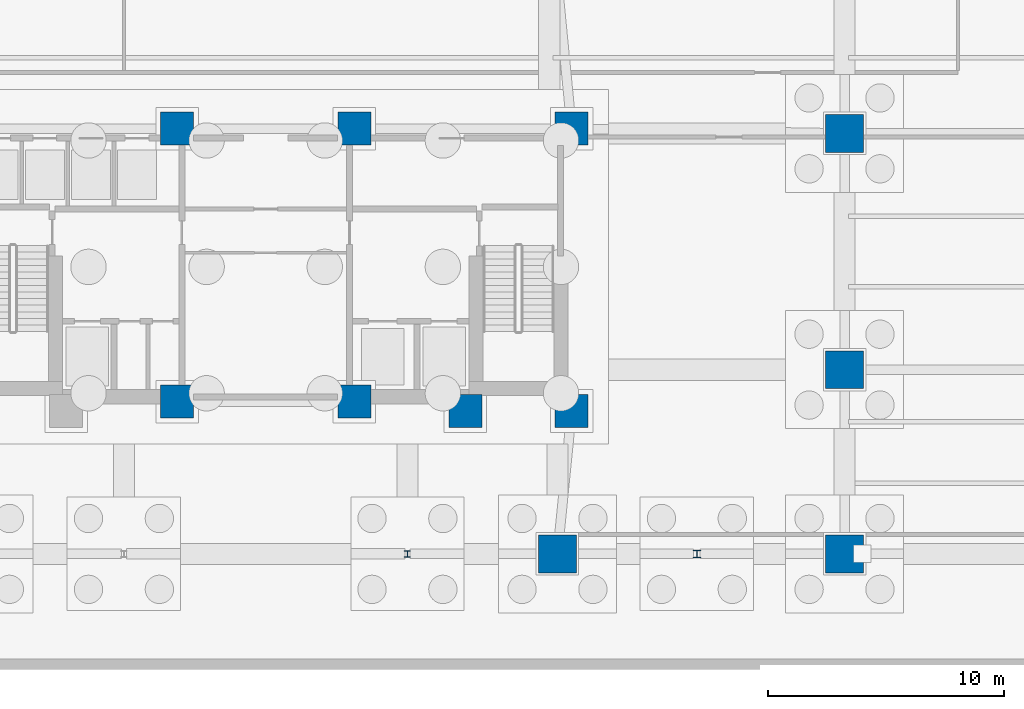
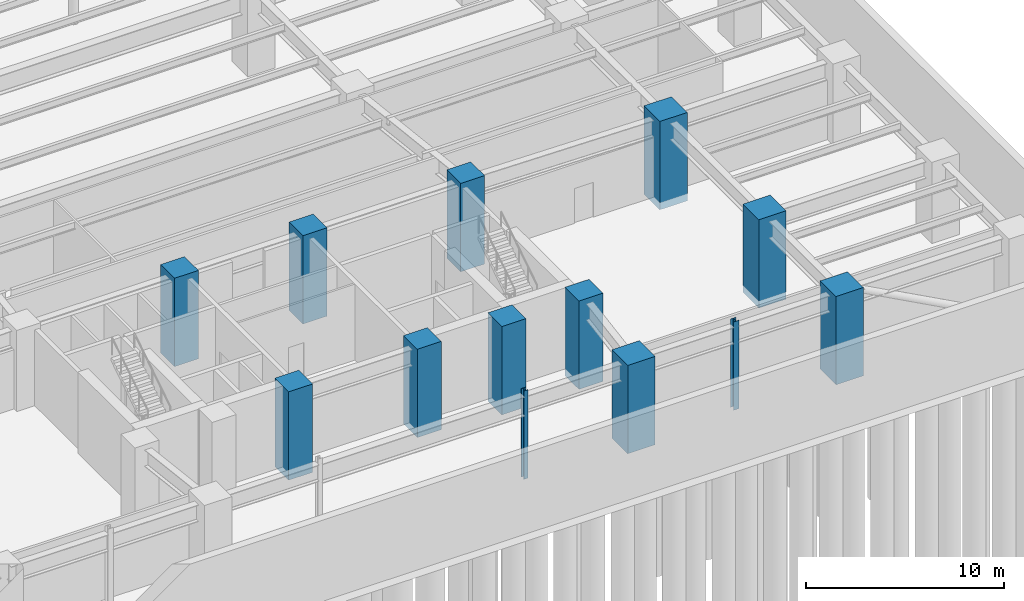
# One storey, part 4 of 15: 13 columns.
"""IFC4 building model written with IfcOpenShell, lengths in metres."""

from ifc_helpers import new_model, si_unit, direction, frame, origin, origin_2d, place, context, subcontext, project, spatial, rectangle, i_section, extrude, material, material_profile, profile_set, type_object, element, save


model = new_model("IFC4")

# Units and contexts
model_context = context("Model", 3, precision=1e-05, world=origin(), true_north=direction((0.0, 1.0)))
body_context = subcontext(model_context, "Body", "Model", "MODEL_VIEW")
ifc_project = project(units=[si_unit("LENGTHUNIT", "METRE"), si_unit("AREAUNIT", "SQUARE_METRE"), si_unit("VOLUMEUNIT", "CUBIC_METRE"), si_unit("PLANEANGLEUNIT", "RADIAN"), si_unit("MASSUNIT", "GRAM", prefix="KILO")], contexts=[model_context])

# Site, building, storey
site_placement = place(None, origin())
site = spatial("IfcSite", under=ifc_project, at=site_placement, CompositionType="ELEMENT")
building_placement = place(site_placement, origin())
building = spatial("IfcBuilding", under=site, at=building_placement, Name="Quenlor Broadcast Tower", CompositionType="ELEMENT")
storey_placement = place(building_placement, frame((0.0, 0.0, -10.0)))
storey = spatial("IfcBuildingStorey", under=building, at=storey_placement, Name="B02", CompositionType="ELEMENT", Elevation=-10.0)

# Columns
ifc_material_1 = material(Name="Concrete C65/80", Category="concrete")
ifc_material_profile_1 = material_profile(ifc_material_1, rectangle(XDim=1.39990234375, YDim=1.39990234375, at=origin_2d()))
ifc_profile_set_1 = profile_set([ifc_material_profile_1], Name="Concrete C65/80 RC1400x1400")
column_type_1 = type_object("IfcColumnType", Name="Core Corner Column Lower Concrete C65/80 1400", PredefinedType="COLUMN", material=ifc_profile_set_1)
for number, where, z_axis, x_axis, name in (
    (1, (-3.75, -16.35009765625, -0.449951171875), (0.0, 0.0, 1.0), (1.0, 0.0, 0.0), "B02 Core Column CC3"),
    (2, (3.75, -16.35009765625, -0.449951171875), (0.0, 0.0, 1.0), (1.0, 0.0, 0.0), "B02 Core Column CC4"),
    (3, (8.449951171875, -16.75, -0.449951171875), (0.0, 0.0, 1.0), (1.0, 0.0, 0.0), "B02 Core Column CC5"),
    (4, (12.949951171875, -16.75, -0.449951171875), (0.0, 0.0, 1.0), (1.0, 0.0, 0.0), "B02 Core Column CC6"),
    (5, (-3.75, -4.800048828125, -0.449951171875), (0.0, 0.0, 1.0), (1.0, 0.0, 0.0), "B02 Core Column CC8"),
    (6, (3.75, -4.800048828125, -0.449951171875), (0.0, 0.0, 1.0), (1.0, 0.0, 0.0), "B02 Core Column CC9"),
    (7, (12.949951171875, -4.800048828125, -0.449951171875), (0.0, 0.0, 1.0), (1.0, 0.0, 0.0), "B02 Core Column CC10"),
):
    element("IfcColumn", number, at=place(storey_placement, frame(where, z_axis=z_axis, x_axis=x_axis)), inside=storey, type_object=column_type_1, Name=name, PredefinedType="COLUMN", context=body_context, shape_type="SweptSolid", body=[
        extrude(rectangle(XDim=1.39990234375, YDim=1.39990234375, at=origin_2d()), origin(), (0.0, 0.0, 1.0), 5.449951171875),
    ])
ifc_material_2 = material(Name="Steel S355", Category="steel")
ifc_material_profile_2 = material_profile(ifc_material_2, i_section(OverallWidth=0.30908203125, OverallDepth=0.320556640625, WebThickness=0.013916015625, FlangeThickness=0.021728515625, FilletRadius=0.0166015625, at=origin_2d()))
ifc_profile_set_2 = profile_set([ifc_material_profile_2], Name="Steel S355 310UC137")
column_type_2 = type_object("IfcColumnType", Name="Podium Canopy Post Steel S355 310UC137", PredefinedType="COLUMN", material=ifc_profile_set_2)
column_1_placement = place(storey_placement, frame((18.25, -22.800048828125, -0.449951171875), z_axis=(0.0, 0.0, 1.0), x_axis=(1.0, 0.0, 0.0)))
element("IfcColumn", 8, at=column_1_placement, inside=storey, type_object=column_type_2, Name="B02 Station Steel Column SPE1", PredefinedType="COLUMN", context=body_context, shape_type="SweptSolid", body=[
    extrude(i_section(OverallWidth=0.30908203125, OverallDepth=0.320556640625, WebThickness=0.013916015625, FlangeThickness=0.021728515625, FilletRadius=0.0166015625, at=origin_2d()), origin(), (0.0, 0.0, 1.0), 5.449951171875),
])
ifc_material_3 = material(Name="Steel S355", Category="steel")
ifc_material_profile_3 = material_profile(ifc_material_3, i_section(OverallWidth=0.256103515625, OverallDepth=0.260009765625, WebThickness=0.010498046875, FlangeThickness=0.017333984375, FilletRadius=0.013916015625, at=origin_2d()))
ifc_profile_set_3 = profile_set([ifc_material_profile_3], Name="Steel S355 250UC89.5")
column_type_3 = type_object("IfcColumnType", Name="Podium Gallery Post Steel S355 250UC89.5", PredefinedType="COLUMN", material=ifc_profile_set_3)
column_2_placement = place(storey_placement, frame((6.0, -22.800048828125, -0.449951171875), z_axis=(0.0, 0.0, 1.0), x_axis=(1.0, 0.0, 0.0)))
element("IfcColumn", 9, at=column_2_placement, inside=storey, type_object=column_type_3, Name="B02 Station Steel Column SPE2", PredefinedType="COLUMN", context=body_context, shape_type="SweptSolid", body=[
    extrude(i_section(OverallWidth=0.256103515625, OverallDepth=0.260009765625, WebThickness=0.010498046875, FlangeThickness=0.017333984375, FilletRadius=0.013916015625, at=origin_2d()), origin(), (0.0, 0.0, 1.0), 5.449951171875),
])
ifc_material_4 = material(Name="Concrete C65/80", Category="concrete")
ifc_material_profile_4 = material_profile(ifc_material_4, rectangle(XDim=1.60009765625, YDim=1.60009765625, at=origin_2d()))
ifc_profile_set_4 = profile_set([ifc_material_profile_4], Name="Concrete C65/80 RC1600x1600")
column_type_4 = type_object("IfcColumnType", Name="Podium Mega Column Concrete C65/80 1600", PredefinedType="COLUMN", material=ifc_profile_set_4)
for number, where, z_axis, x_axis, name in (
    (10, (12.35009765625, -22.800048828125, -0.449951171875), (0.0, 0.0, 1.0), (1.0, 0.0, 0.0), "B02 Podium Mega Column PM4"),
    (11, (24.5, -22.800048828125, -0.449951171875), (0.0, 0.0, 1.0), (1.0, 0.0, 0.0), "B02 Podium Mega Column PM5"),
    (12, (24.5, -15.0, -0.449951171875), (0.0, 0.0, 1.0), (1.0, 0.0, 0.0), "B02 Podium Mega Column PM9"),
    (13, (24.5, -5.0, -0.449951171875), (0.0, 0.0, 1.0), (1.0, 0.0, 0.0), "B02 Podium Mega Column PM13"),
):
    element("IfcColumn", number, at=place(storey_placement, frame(where, z_axis=z_axis, x_axis=x_axis)), inside=storey, type_object=column_type_4, Name=name, PredefinedType="COLUMN", context=body_context, shape_type="SweptSolid", body=[
        extrude(rectangle(XDim=1.60009765625, YDim=1.60009765625, at=origin_2d()), origin(), (0.0, 0.0, 1.0), 5.449951171875),
    ])

save(model, "model.ifc")
